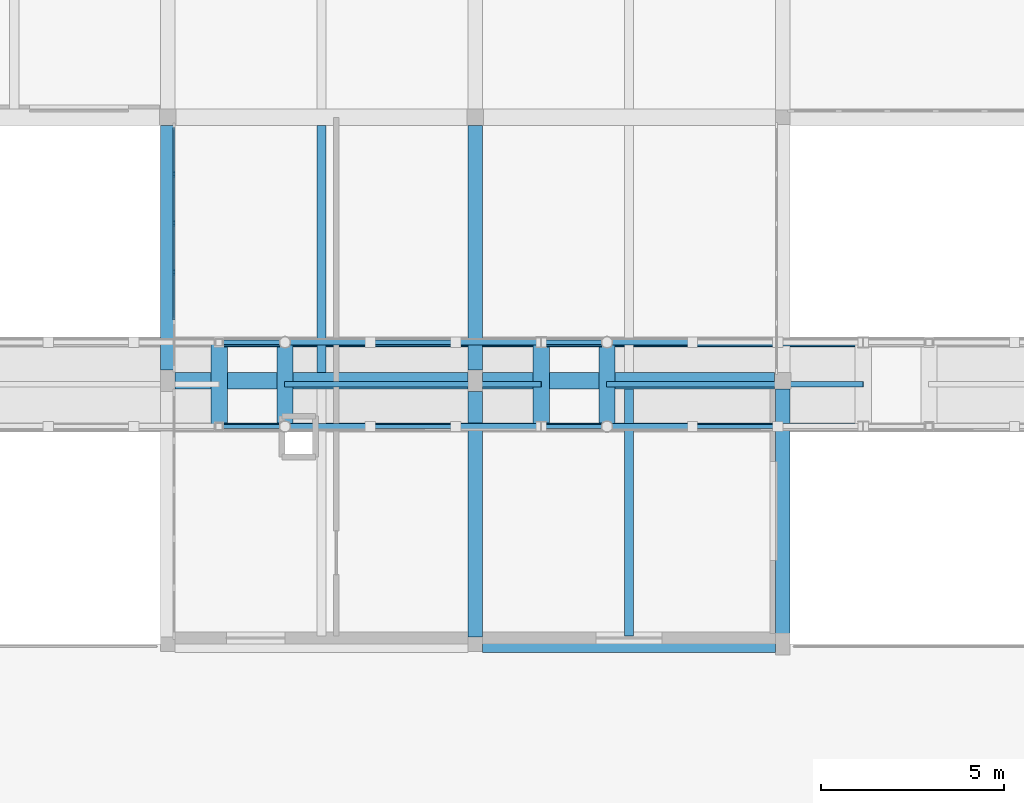
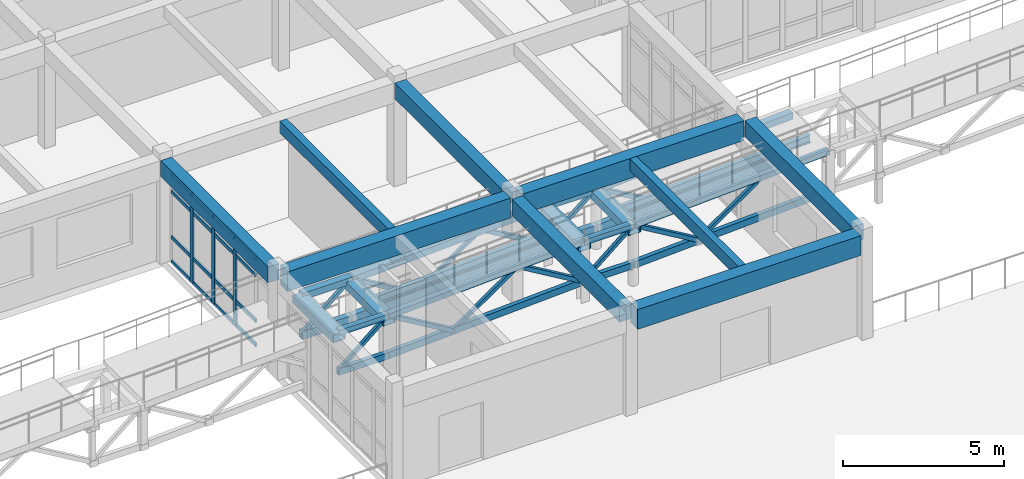
# One storey, part 33 of 90: 48 members, 15 beams, 1 element without a shape of its own.
"""IFC4 building model written with IfcOpenShell, lengths in metres."""

from ifc_helpers import new_model, si_unit, direction, frame, origin, origin_2d, place, context, subcontext, project, spatial, rectangle, hollow_rectangle, i_section, extrude, material, material_profile, profile_set, type_object, element, aggregate, save


model = new_model("IFC4")

# Units and contexts
model_context = context("Model", 3, precision=1e-05, world=origin(), true_north=direction((0.0, 1.0)))
body_context = subcontext(model_context, "Body", "Model", "MODEL_VIEW")
ifc_project = project(units=[si_unit("LENGTHUNIT", "METRE"), si_unit("AREAUNIT", "SQUARE_METRE"), si_unit("VOLUMEUNIT", "CUBIC_METRE"), si_unit("PLANEANGLEUNIT", "RADIAN"), si_unit("MASSUNIT", "GRAM", prefix="KILO")], contexts=[model_context])

# Site, building, storey
site_placement = place(None, origin())
site = spatial("IfcSite", under=ifc_project, at=site_placement, CompositionType="ELEMENT")
building_placement = place(site_placement, origin())
building = spatial("IfcBuilding", under=site, at=building_placement, Name="Malvenik Polytechnic", CompositionType="ELEMENT")
storey_placement = place(building_placement, frame((0.0, 0.0, 9.300048828125)))
storey = spatial("IfcBuildingStorey", under=building, at=storey_placement, Name="L02", CompositionType="ELEMENT", Elevation=9.300048828125)

# Curtain wall, members
ifc_material_1 = material(Name="Anodised aluminium 6060-T6", Category="aluminium")
curtain_wall_type = type_object("IfcCurtainWallType", Name="ARC-CW-CW-06", PredefinedType="NOTDEFINED", material=ifc_material_1)
curtain_wall_placement = place(storey_placement, origin())
curtain_wall = element("IfcCurtainWall", 1, at=curtain_wall_placement, inside=storey, type_object=curtain_wall_type, Name="Unitised Curtain Wall CW-06 L02 #136", PredefinedType="NOTDEFINED")
ifc_material_2 = material(Name="Anodised aluminium", Category="aluminium")
ifc_material_profile_1 = material_profile(ifc_material_2, rectangle(XDim=0.06005859375, YDim=0.179931640625, at=origin_2d()), Name="ALU MULLION 60x180")
ifc_profile_set_1 = profile_set([ifc_material_profile_1], Name="Anodised aluminium")
member_type_1 = type_object("IfcMemberType", Name="ARC-CWM-180", PredefinedType="MULLION", material=ifc_profile_set_1)
member_1_placement = place(storey_placement, frame((75.77001953125, 46.169677734375, 0.0), z_axis=(0.0, 0.0, 1.0), x_axis=(-1.0, 0.0, 0.0)))
member_1 = element("IfcMember", 2, at=member_1_placement, type_object=member_type_1, Name="CW-06 mullion 3", PredefinedType="MULLION", context=body_context, shape_type="SweptSolid", body=[
    extrude(rectangle(XDim=0.06005859375, YDim=0.179931640625, at=origin_2d()), origin(), (0.0, 0.0, 1.0), 3.329833984375),
])
member_2_placement = place(storey_placement, frame((75.77001953125, 47.50537109375, 0.0), z_axis=(0.0, 0.0, 1.0), x_axis=(-1.0, 0.0, 0.0)))
member_2 = element("IfcMember", 3, at=member_2_placement, type_object=member_type_1, Name="CW-06 mullion 4", PredefinedType="MULLION", context=body_context, shape_type="SweptSolid", body=[
    extrude(rectangle(XDim=0.06005859375, YDim=0.179931640625, at=origin_2d()), origin(), (0.0, 0.0, 1.0), 3.329833984375),
])
member_3_placement = place(storey_placement, frame((75.77001953125, 48.84130859375, 0.0), z_axis=(0.0, 0.0, 1.0), x_axis=(-1.0, 0.0, 0.0)))
member_3 = element("IfcMember", 4, at=member_3_placement, type_object=member_type_1, Name="CW-06 mullion 5", PredefinedType="MULLION", context=body_context, shape_type="SweptSolid", body=[
    extrude(rectangle(XDim=0.06005859375, YDim=0.179931640625, at=origin_2d()), origin(), (0.0, 0.0, 1.0), 3.329833984375),
])
ifc_material_profile_2 = material_profile(ifc_material_2, rectangle(XDim=0.06005859375, YDim=0.139892578125, at=origin_2d()), Name="ALU TRANSOM 60x140")
ifc_profile_set_2 = profile_set([ifc_material_profile_2], Name="Anodised aluminium")
member_type_2 = type_object("IfcMemberType", Name="ARC-CWT-140", PredefinedType="USERDEFINED", material=ifc_profile_set_2)
member_4_placement = place(storey_placement, frame((75.77001953125, 44.86376953125, 0.030029296875), z_axis=(0.0, 1.0, 0.0), x_axis=(-1.0, 0.0, 0.0)))
member_4 = element("IfcMember", 5, at=member_4_placement, type_object=member_type_2, Name="CW-06 transom 2.1", ObjectType="TRANSOM", PredefinedType="USERDEFINED", context=body_context, shape_type="SweptSolid", body=[
    extrude(rectangle(XDim=0.06005859375, YDim=0.139892578125, at=origin_2d()), origin(), (0.0, 0.0, 1.0), 1.27587890625),
])
member_5_placement = place(storey_placement, frame((75.77001953125, 44.86376953125, 0.949951171875), z_axis=(0.0, 1.0, 0.0), x_axis=(-1.0, 0.0, 0.0)))
member_5 = element("IfcMember", 6, at=member_5_placement, type_object=member_type_2, Name="CW-06 transom 2.2", ObjectType="TRANSOM", PredefinedType="USERDEFINED", context=body_context, shape_type="SweptSolid", body=[
    extrude(rectangle(XDim=0.06005859375, YDim=0.139892578125, at=origin_2d()), origin(), (0.0, 0.0, 1.0), 1.27587890625),
])
member_6_placement = place(storey_placement, frame((75.77001953125, 44.86376953125, 2.679931640625), z_axis=(0.0, 1.0, 0.0), x_axis=(-1.0, 0.0, 0.0)))
member_6 = element("IfcMember", 7, at=member_6_placement, type_object=member_type_2, Name="CW-06 transom 2.3", ObjectType="TRANSOM", PredefinedType="USERDEFINED", context=body_context, shape_type="SweptSolid", body=[
    extrude(rectangle(XDim=0.06005859375, YDim=0.139892578125, at=origin_2d()), origin(), (0.0, 0.0, 1.0), 1.27587890625),
])
member_7_placement = place(storey_placement, frame((75.77001953125, 44.86376953125, 3.300048828125), z_axis=(0.0, 1.0, 0.0), x_axis=(-1.0, 0.0, 0.0)))
member_7 = element("IfcMember", 8, at=member_7_placement, type_object=member_type_2, Name="CW-06 transom 2.4", ObjectType="TRANSOM", PredefinedType="USERDEFINED", context=body_context, shape_type="SweptSolid", body=[
    extrude(rectangle(XDim=0.06005859375, YDim=0.139892578125, at=origin_2d()), origin(), (0.0, 0.0, 1.0), 1.27587890625),
])
member_8_placement = place(storey_placement, frame((75.77001953125, 46.19970703125, 0.030029296875), z_axis=(0.0, 1.0, 0.0), x_axis=(-1.0, 0.0, 0.0)))
member_8 = element("IfcMember", 9, at=member_8_placement, type_object=member_type_2, Name="CW-06 transom 3.1", ObjectType="TRANSOM", PredefinedType="USERDEFINED", context=body_context, shape_type="SweptSolid", body=[
    extrude(rectangle(XDim=0.06005859375, YDim=0.139892578125, at=origin_2d()), origin(), (0.0, 0.0, 1.0), 1.275634765625),
])
member_9_placement = place(storey_placement, frame((75.77001953125, 46.19970703125, 0.949951171875), z_axis=(0.0, 1.0, 0.0), x_axis=(-1.0, 0.0, 0.0)))
member_9 = element("IfcMember", 10, at=member_9_placement, type_object=member_type_2, Name="CW-06 transom 3.2", ObjectType="TRANSOM", PredefinedType="USERDEFINED", context=body_context, shape_type="SweptSolid", body=[
    extrude(rectangle(XDim=0.06005859375, YDim=0.139892578125, at=origin_2d()), origin(), (0.0, 0.0, 1.0), 1.275634765625),
])
member_10_placement = place(storey_placement, frame((75.77001953125, 46.19970703125, 2.679931640625), z_axis=(0.0, 1.0, 0.0), x_axis=(-1.0, 0.0, 0.0)))
member_10 = element("IfcMember", 11, at=member_10_placement, type_object=member_type_2, Name="CW-06 transom 3.3", ObjectType="TRANSOM", PredefinedType="USERDEFINED", context=body_context, shape_type="SweptSolid", body=[
    extrude(rectangle(XDim=0.06005859375, YDim=0.139892578125, at=origin_2d()), origin(), (0.0, 0.0, 1.0), 1.275634765625),
])
member_11_placement = place(storey_placement, frame((75.77001953125, 46.19970703125, 3.300048828125), z_axis=(0.0, 1.0, 0.0), x_axis=(-1.0, 0.0, 0.0)))
member_11 = element("IfcMember", 12, at=member_11_placement, type_object=member_type_2, Name="CW-06 transom 3.4", ObjectType="TRANSOM", PredefinedType="USERDEFINED", context=body_context, shape_type="SweptSolid", body=[
    extrude(rectangle(XDim=0.06005859375, YDim=0.139892578125, at=origin_2d()), origin(), (0.0, 0.0, 1.0), 1.275634765625),
])
member_12_placement = place(storey_placement, frame((75.77001953125, 47.535400390625, 0.030029296875), z_axis=(0.0, 1.0, 0.0), x_axis=(-1.0, 0.0, 0.0)))
member_12 = element("IfcMember", 13, at=member_12_placement, type_object=member_type_2, Name="CW-06 transom 4.1", ObjectType="TRANSOM", PredefinedType="USERDEFINED", context=body_context, shape_type="SweptSolid", body=[
    extrude(rectangle(XDim=0.06005859375, YDim=0.139892578125, at=origin_2d()), origin(), (0.0, 0.0, 1.0), 1.27587890625),
])
member_13_placement = place(storey_placement, frame((75.77001953125, 47.535400390625, 0.949951171875), z_axis=(0.0, 1.0, 0.0), x_axis=(-1.0, 0.0, 0.0)))
member_13 = element("IfcMember", 14, at=member_13_placement, type_object=member_type_2, Name="CW-06 transom 4.2", ObjectType="TRANSOM", PredefinedType="USERDEFINED", context=body_context, shape_type="SweptSolid", body=[
    extrude(rectangle(XDim=0.06005859375, YDim=0.139892578125, at=origin_2d()), origin(), (0.0, 0.0, 1.0), 1.27587890625),
])
member_14_placement = place(storey_placement, frame((75.77001953125, 47.535400390625, 2.679931640625), z_axis=(0.0, 1.0, 0.0), x_axis=(-1.0, 0.0, 0.0)))
member_14 = element("IfcMember", 15, at=member_14_placement, type_object=member_type_2, Name="CW-06 transom 4.3", ObjectType="TRANSOM", PredefinedType="USERDEFINED", context=body_context, shape_type="SweptSolid", body=[
    extrude(rectangle(XDim=0.06005859375, YDim=0.139892578125, at=origin_2d()), origin(), (0.0, 0.0, 1.0), 1.27587890625),
])
member_15_placement = place(storey_placement, frame((75.77001953125, 47.535400390625, 3.300048828125), z_axis=(0.0, 1.0, 0.0), x_axis=(-1.0, 0.0, 0.0)))
member_15 = element("IfcMember", 16, at=member_15_placement, type_object=member_type_2, Name="CW-06 transom 4.4", ObjectType="TRANSOM", PredefinedType="USERDEFINED", context=body_context, shape_type="SweptSolid", body=[
    extrude(rectangle(XDim=0.06005859375, YDim=0.139892578125, at=origin_2d()), origin(), (0.0, 0.0, 1.0), 1.27587890625),
])
member_16_placement = place(storey_placement, frame((75.77001953125, 48.87109375, 0.030029296875), z_axis=(0.0, 1.0, 0.0), x_axis=(-1.0, 0.0, 0.0)))
member_16 = element("IfcMember", 17, at=member_16_placement, type_object=member_type_2, Name="CW-06 transom 5.1", ObjectType="TRANSOM", PredefinedType="USERDEFINED", context=body_context, shape_type="SweptSolid", body=[
    extrude(rectangle(XDim=0.06005859375, YDim=0.139892578125, at=origin_2d()), origin(), (0.0, 0.0, 1.0), 1.245849609375),
])
member_17_placement = place(storey_placement, frame((75.77001953125, 48.87109375, 0.949951171875), z_axis=(0.0, 1.0, 0.0), x_axis=(-1.0, 0.0, 0.0)))
member_17 = element("IfcMember", 18, at=member_17_placement, type_object=member_type_2, Name="CW-06 transom 5.2", ObjectType="TRANSOM", PredefinedType="USERDEFINED", context=body_context, shape_type="SweptSolid", body=[
    extrude(rectangle(XDim=0.06005859375, YDim=0.139892578125, at=origin_2d()), origin(), (0.0, 0.0, 1.0), 1.245849609375),
])
member_18_placement = place(storey_placement, frame((75.77001953125, 48.87109375, 2.679931640625), z_axis=(0.0, 1.0, 0.0), x_axis=(-1.0, 0.0, 0.0)))
member_18 = element("IfcMember", 19, at=member_18_placement, type_object=member_type_2, Name="CW-06 transom 5.3", ObjectType="TRANSOM", PredefinedType="USERDEFINED", context=body_context, shape_type="SweptSolid", body=[
    extrude(rectangle(XDim=0.06005859375, YDim=0.139892578125, at=origin_2d()), origin(), (0.0, 0.0, 1.0), 1.245849609375),
])
member_19_placement = place(storey_placement, frame((75.77001953125, 48.87109375, 3.300048828125), z_axis=(0.0, 1.0, 0.0), x_axis=(-1.0, 0.0, 0.0)))
member_19 = element("IfcMember", 20, at=member_19_placement, type_object=member_type_2, Name="CW-06 transom 5.4", ObjectType="TRANSOM", PredefinedType="USERDEFINED", context=body_context, shape_type="SweptSolid", body=[
    extrude(rectangle(XDim=0.06005859375, YDim=0.139892578125, at=origin_2d()), origin(), (0.0, 0.0, 1.0), 1.245849609375),
])
aggregate(curtain_wall, [member_1, member_2, member_3, member_4, member_5, member_6, member_7, member_8, member_9, member_10, member_11, member_12, member_13, member_14, member_15, member_16, member_17, member_18, member_19])

# Beams
ifc_material_3 = material(Name="Concrete C35/45", Category="concrete")
ifc_material_profile_3 = material_profile(ifc_material_3, rectangle(XDim=0.449951171875, YDim=0.75, at=origin_2d()), Name="RC BM 450x750")
ifc_profile_set_3 = profile_set([ifc_material_profile_3], Name="Concrete C35/45")
beam_type_1 = type_object("IfcBeamType", Name="STR-BM-B-03", PredefinedType="BEAM", material=ifc_profile_set_3)
beam_1_placement = place(storey_placement, frame((75.798095703125, 43.199951171875, 3.56494140625), z_axis=(1.0, 0.0, 0.0), x_axis=(0.0, 1.0, 0.0)))
element("IfcBeam", 21, at=beam_1_placement, inside=storey, type_object=beam_type_1, Name="Primary Beam B-03 L02 #1333", PredefinedType="BEAM", context=body_context, shape_type="SweptSolid", body=[
    extrude(rectangle(XDim=0.449951171875, YDim=0.75, at=origin_2d()), origin(), (0.0, 0.0, 1.0), 8.00390625),
])
beam_2_placement = place(storey_placement, frame((84.197998046875, 43.199951171875, 3.56494140625), z_axis=(1.0, 0.0, 0.0), x_axis=(0.0, 1.0, 0.0)))
element("IfcBeam", 22, at=beam_2_placement, inside=storey, type_object=beam_type_1, Name="Primary Beam B-03 L02 #1334", PredefinedType="BEAM", context=body_context, shape_type="SweptSolid", body=[
    extrude(rectangle(XDim=0.449951171875, YDim=0.75, at=origin_2d()), origin(), (0.0, 0.0, 1.0), 7.97900390625),
])
ifc_material_profile_4 = material_profile(ifc_material_3, rectangle(XDim=0.39990234375, YDim=0.60009765625, at=origin_2d()), Name="RC BM 400x600")
ifc_profile_set_4 = profile_set([ifc_material_profile_4], Name="Concrete C35/45")
beam_type_2 = type_object("IfcBeamType", Name="STR-BM-B-06", PredefinedType="BEAM", material=ifc_profile_set_4)
beam_3_placement = place(storey_placement, frame((75.60009765625, 43.498046875, 3.639892578125), z_axis=(0.0, 1.0, 0.0), x_axis=(-1.0, 0.0, 0.0)))
element("IfcBeam", 23, at=beam_3_placement, inside=storey, type_object=beam_type_2, Name="Transverse Beam B-06 L02 #1508", PredefinedType="BEAM", context=body_context, shape_type="SweptSolid", body=[
    extrude(rectangle(XDim=0.39990234375, YDim=0.60009765625, at=origin_2d()), origin(), (0.0, 0.0, 1.0), 6.678955078125),
])
beam_4_placement = place(storey_placement, frame((84.0, 36.197998046875, 3.639892578125), z_axis=(0.0, 1.0, 0.0), x_axis=(-1.0, 0.0, 0.0)))
element("IfcBeam", 24, at=beam_4_placement, inside=storey, type_object=beam_type_2, Name="Transverse Beam B-06 L02 #1516", PredefinedType="BEAM", context=body_context, shape_type="SweptSolid", body=[
    extrude(rectangle(XDim=0.39990234375, YDim=0.60009765625, at=origin_2d()), origin(), (0.0, 0.0, 1.0), 6.7041015625),
])
for number, where, z_axis, x_axis, name in (
    (25, (84.0, 43.498046875, 3.639892578125), (0.0, 1.0, 0.0), (-1.0, 0.0, 0.0), "Transverse Beam B-06 L02 #1517"),
    (26, (92.39990234375, 36.298095703125, 3.639892578125), (0.0, 1.0, 0.0), (-1.0, 0.0, 0.0), "Transverse Beam B-06 L02 #1527"),
):
    element("IfcBeam", number, at=place(storey_placement, frame(where, z_axis=z_axis, x_axis=x_axis)), inside=storey, type_object=beam_type_2, Name=name, PredefinedType="BEAM", context=body_context, shape_type="SweptSolid", body=[
        extrude(rectangle(XDim=0.39990234375, YDim=0.60009765625, at=origin_2d()), origin(), (0.0, 0.0, 1.0), 6.678955078125),
    ])
ifc_material_4 = material(Name="Concrete C30/37", Category="concrete")
ifc_material_profile_5 = material_profile(ifc_material_4, rectangle(XDim=0.25, YDim=0.449951171875, at=origin_2d()), Name="RC JST 250x450")
ifc_profile_set_5 = profile_set([ifc_material_profile_5], Name="Concrete C30/37")
beam_type_3 = type_object("IfcBeamType", Name="STR-BM-J-02", PredefinedType="JOIST", material=ifc_profile_set_5)
beam_5_placement = place(storey_placement, frame((79.800048828125, 43.423095703125, 3.71484375), z_axis=(0.0, 1.0, 0.0), x_axis=(-1.0, 0.0, 0.0)))
element("IfcBeam", 27, at=beam_5_placement, inside=storey, type_object=beam_type_3, Name="Secondary Rib Joist J-02 L02 #1591", PredefinedType="JOIST", context=body_context, shape_type="SweptSolid", body=[
    extrude(rectangle(XDim=0.25, YDim=0.449951171875, at=origin_2d()), origin(), (0.0, 0.0, 1.0), 6.75390625),
])
beam_6_placement = place(storey_placement, frame((88.199951171875, 36.22802734375, 3.71484375), z_axis=(0.0, 1.0, 0.0), x_axis=(-1.0, 0.0, 0.0)))
element("IfcBeam", 28, at=beam_6_placement, inside=storey, type_object=beam_type_3, Name="Secondary Rib Joist J-02 L02 #1597", PredefinedType="JOIST", context=body_context, shape_type="SweptSolid", body=[
    extrude(rectangle(XDim=0.25, YDim=0.449951171875, at=origin_2d()), origin(), (0.0, 0.0, 1.0), 6.7490234375),
])
ifc_material_5 = material(Name="Steel S355J2H", Category="steel")
ifc_material_profile_6 = material_profile(ifc_material_5, hollow_rectangle(XDim=0.449951171875, YDim=0.300048828125, WallThickness=0.012451171875, at=origin_2d()), Name="RHS 450x300x12.5")
ifc_profile_set_6 = profile_set([ifc_material_profile_6], Name="Steel S355J2H")
beam_type_4 = type_object("IfcBeamType", Name="STR-BM-SB-07", PredefinedType="BEAM", material=ifc_profile_set_6)
for number, where, z_axis, x_axis, name in (
    (29, (77.0, 41.85009765625, 1.73193359375), (0.0, 1.0, 0.0), (-1.0, 0.0, 0.0), "Ramp Joint Transom RB-01 #11"),
    (30, (78.800048828125, 41.85009765625, 1.73193359375), (0.0, 1.0, 0.0), (-1.0, 0.0, 0.0), "Ramp Joint Transom RB-01 #12"),
    (31, (85.800048828125, 41.85009765625, 2.08203125), (0.0, 1.0, 0.0), (-1.0, 0.0, 0.0), "Ramp Joint Transom RB-01 #13"),
    (32, (87.60009765625, 41.85009765625, 2.08203125), (0.0, 1.0, 0.0), (-1.0, 0.0, 0.0), "Ramp Joint Transom RB-01 #14"),
):
    element("IfcBeam", number, at=place(storey_placement, frame(where, z_axis=z_axis, x_axis=x_axis)), inside=storey, type_object=beam_type_4, Name=name, PredefinedType="BEAM", context=body_context, shape_type="SweptSolid", body=[
        extrude(hollow_rectangle(XDim=0.449951171875, YDim=0.300048828125, WallThickness=0.012451171875, at=origin_2d()), origin(), (0.0, 0.0, 1.0), 2.5),
    ])
ifc_material_6 = material(Name="Steel S355", Category="steel")
ifc_material_profile_7 = material_profile(ifc_material_6, i_section(OverallWidth=0.14990234375, OverallDepth=0.300048828125, WebThickness=0.007080078125, FlangeThickness=0.0107421875, FilletRadius=0.014892578125, at=origin_2d()), Name="IPE 300")
ifc_profile_set_7 = profile_set([ifc_material_profile_7], Name="Steel S355")
beam_type_5 = type_object("IfcBeamType", Name="STR-BM-SB-09", PredefinedType="JOIST", material=ifc_profile_set_7)
for number, where, z_axis, x_axis, name in (
    (33, (78.800048828125, 43.10009765625, 1.675048828125), (0.998753381067, 0.0, 0.049916768801), (0.0, 1.0, 0.0), "Ramp Centreline Stringer RB-01 #12"),
    (34, (87.60009765625, 43.10009765625, 2.02490234375), (0.998751643845, 0.0, 0.049951515669), (0.0, 1.0, 0.0), "Ramp Centreline Stringer RB-01 #14"),
):
    element("IfcBeam", number, at=place(storey_placement, frame(where, z_axis=z_axis, x_axis=x_axis)), inside=storey, type_object=beam_type_5, Name=name, PredefinedType="JOIST", context=body_context, shape_type="SweptSolid", body=[
        extrude(i_section(OverallWidth=0.14990234375, OverallDepth=0.300048828125, WebThickness=0.007080078125, FlangeThickness=0.0107421875, FilletRadius=0.014892578125, at=origin_2d()), origin(), (0.0, 0.0, 1.0), 7.0087890625),
    ])
ifc_material_7 = material(Name="Precast concrete C40/50", Category="concrete")
ifc_material_profile_8 = material_profile(ifc_material_7, rectangle(XDim=0.4599609375, YDim=0.75, at=origin_2d()), Name="PC SPN 460x750")
ifc_profile_set_8 = profile_set([ifc_material_profile_8], Name="Precast concrete C40/50")
beam_type_6 = type_object("IfcBeamType", Name="STR-BM-SP-02", PredefinedType="SPANDREL", material=ifc_profile_set_8)
beam_7_placement = place(storey_placement, frame((84.197998046875, 36.0, 3.56494140625), z_axis=(1.0, 0.0, 0.0), x_axis=(0.0, 1.0, 0.0)))
element("IfcBeam", 35, at=beam_7_placement, inside=storey, type_object=beam_type_6, Name="Primary Beam SP-02 L02 #1332", PredefinedType="SPANDREL", context=body_context, shape_type="SweptSolid", body=[
    extrude(rectangle(XDim=0.4599609375, YDim=0.75, at=origin_2d()), origin(), (0.0, 0.0, 1.0), 8.00390625),
])

# Members
ifc_material_profile_9 = material_profile(ifc_material_5, hollow_rectangle(XDim=0.14990234375, YDim=0.25, WallThickness=0.010009765625, at=origin_2d()), Name="RHS 250x150x10.0")
ifc_profile_set_9 = profile_set([ifc_material_profile_9], Name="Steel S355J2H")
member_type_3 = type_object("IfcMemberType", Name="STR-MEM-TRB-01", PredefinedType="CHORD", material=ifc_profile_set_9)
member_20_placement = place(storey_placement, frame((77.00390625, 41.949951171875, 0.3798828125), z_axis=(1.0, 0.0, 0.0), x_axis=(0.0, 1.0, 0.0)))
element("IfcMember", 36, at=member_20_placement, inside=storey, type_object=member_type_3, Name="Space-Frame Tube TRB-01 STR-TR-BC-RB-01-1-11", PredefinedType="CHORD", context=body_context, shape_type="SweptSolid", body=[
    extrude(hollow_rectangle(XDim=0.14990234375, YDim=0.25, WallThickness=0.010009765625, at=origin_2d()), origin(), (0.0, 0.0, 1.0), 1.7919921875),
])
member_21_placement = place(storey_placement, frame((78.803955078125, 41.949951171875, 0.380126953125), z_axis=(0.998752251909, 0.0, 0.049939356288), x_axis=(0.0, 1.0, 0.0)))
element("IfcMember", 37, at=member_21_placement, inside=storey, type_object=member_type_3, Name="Space-Frame Tube TRB-01 STR-TR-BC-RB-01-1-12", PredefinedType="CHORD", context=body_context, shape_type="SweptSolid", body=[
    extrude(hollow_rectangle(XDim=0.14990234375, YDim=0.25, WallThickness=0.010009765625, at=origin_2d()), origin(), (0.0, 0.0, 1.0), 7.000732421875),
])
member_22_placement = place(storey_placement, frame((85.803955078125, 41.949951171875, 0.72998046875), z_axis=(1.0, 0.0, 0.0), x_axis=(0.0, 1.0, 0.0)))
element("IfcMember", 38, at=member_22_placement, inside=storey, type_object=member_type_3, Name="Space-Frame Tube TRB-01 STR-TR-BC-RB-01-1-13", PredefinedType="CHORD", context=body_context, shape_type="SweptSolid", body=[
    extrude(hollow_rectangle(XDim=0.14990234375, YDim=0.25, WallThickness=0.010009765625, at=origin_2d()), origin(), (0.0, 0.0, 1.0), 1.7919921875),
])
member_23_placement = place(storey_placement, frame((87.60400390625, 41.949951171875, 0.730224609375), z_axis=(0.998752251909, 0.0, 0.049939356288), x_axis=(0.0, 1.0, 0.0)))
element("IfcMember", 39, at=member_23_placement, inside=storey, type_object=member_type_3, Name="Space-Frame Tube TRB-01 STR-TR-BC-RB-01-1-14", PredefinedType="CHORD", context=body_context, shape_type="SweptSolid", body=[
    extrude(hollow_rectangle(XDim=0.14990234375, YDim=0.25, WallThickness=0.010009765625, at=origin_2d()), origin(), (0.0, 0.0, 1.0), 7.000732421875),
])
ifc_material_profile_10 = material_profile(ifc_material_5, hollow_rectangle(XDim=0.199951171875, YDim=0.300048828125, WallThickness=0.010009765625, at=origin_2d()), Name="RHS 300x200x10.0")
ifc_profile_set_10 = profile_set([ifc_material_profile_10], Name="Steel S355J2H")
member_type_4 = type_object("IfcMemberType", Name="STR-MEM-TRB-02", PredefinedType="CHORD", material=ifc_profile_set_10)
member_24_placement = place(storey_placement, frame((77.00390625, 44.25, 0.3798828125), z_axis=(1.0, 0.0, 0.0), x_axis=(0.0, 1.0, 0.0)))
element("IfcMember", 40, at=member_24_placement, inside=storey, type_object=member_type_4, Name="Space-Frame Tube TRB-02 STR-TR-BC-RB-01-2-11", PredefinedType="CHORD", context=body_context, shape_type="SweptSolid", body=[
    extrude(hollow_rectangle(XDim=0.199951171875, YDim=0.300048828125, WallThickness=0.010009765625, at=origin_2d()), origin(), (0.0, 0.0, 1.0), 1.7919921875),
])
member_25_placement = place(storey_placement, frame((78.803955078125, 44.25, 0.380126953125), z_axis=(0.998752251909, 0.0, 0.049939356288), x_axis=(0.0, 1.0, 0.0)))
element("IfcMember", 41, at=member_25_placement, inside=storey, type_object=member_type_4, Name="Space-Frame Tube TRB-02 STR-TR-BC-RB-01-2-12", PredefinedType="CHORD", context=body_context, shape_type="SweptSolid", body=[
    extrude(hollow_rectangle(XDim=0.199951171875, YDim=0.300048828125, WallThickness=0.010009765625, at=origin_2d()), origin(), (0.0, 0.0, 1.0), 7.000732421875),
])
member_26_placement = place(storey_placement, frame((85.803955078125, 44.25, 0.72998046875), z_axis=(1.0, 0.0, 0.0), x_axis=(0.0, 1.0, 0.0)))
element("IfcMember", 42, at=member_26_placement, inside=storey, type_object=member_type_4, Name="Space-Frame Tube TRB-02 STR-TR-BC-RB-01-2-13", PredefinedType="CHORD", context=body_context, shape_type="SweptSolid", body=[
    extrude(hollow_rectangle(XDim=0.199951171875, YDim=0.300048828125, WallThickness=0.010009765625, at=origin_2d()), origin(), (0.0, 0.0, 1.0), 1.7919921875),
])
member_27_placement = place(storey_placement, frame((87.60400390625, 44.25, 0.730224609375), z_axis=(0.998752251909, 0.0, 0.049939356288), x_axis=(0.0, 1.0, 0.0)))
element("IfcMember", 43, at=member_27_placement, inside=storey, type_object=member_type_4, Name="Space-Frame Tube TRB-02 STR-TR-BC-RB-01-2-14", PredefinedType="CHORD", context=body_context, shape_type="SweptSolid", body=[
    extrude(hollow_rectangle(XDim=0.199951171875, YDim=0.300048828125, WallThickness=0.010009765625, at=origin_2d()), origin(), (0.0, 0.0, 1.0), 7.000732421875),
])
ifc_material_profile_11 = material_profile(ifc_material_5, hollow_rectangle(XDim=0.14990234375, YDim=0.14990234375, WallThickness=0.008056640625, at=origin_2d()), Name="SHS 150x150x8.0")
ifc_profile_set_11 = profile_set([ifc_material_profile_11], Name="Steel S355J2H")
member_type_5 = type_object("IfcMemberType", Name="STR-MEM-TRD-01", PredefinedType="BRACE", material=ifc_profile_set_11)
for number, where, z_axis, x_axis, name in (
    (44, (78.803466796875, 41.949951171875, 1.8779296875), (0.860165406805, 0.0, -0.51001516932), (0.0, 1.0, 0.0), "Space-Frame Tube TRD-01 STR-TRD-01-RB-01-1-12"),
    (45, (83.47021484375, 41.949951171875, 2.111328125), (0.860165406805, 0.0, -0.51001516932), (0.0, 1.0, 0.0), "Space-Frame Tube TRD-01 STR-TRD-03-RB-01-1-12"),
    (46, (87.603515625, 41.949951171875, 2.22802734375), (0.860165406805, 0.0, -0.51001516932), (0.0, 1.0, 0.0), "Space-Frame Tube TRD-01 STR-TRD-01-RB-01-1-14"),
    (47, (78.803466796875, 44.25, 1.8779296875), (0.860165406805, 0.0, -0.51001516932), (0.0, 1.0, 0.0), "Space-Frame Tube TRD-01 STR-TRD-01-RB-01-2-12"),
    (48, (83.47021484375, 44.25, 2.111328125), (0.860165406805, 0.0, -0.51001516932), (0.0, 1.0, 0.0), "Space-Frame Tube TRD-01 STR-TRD-03-RB-01-2-12"),
    (49, (87.603515625, 44.25, 2.22802734375), (0.860165406805, 0.0, -0.51001516932), (0.0, 1.0, 0.0), "Space-Frame Tube TRD-01 STR-TRD-01-RB-01-2-14"),
):
    element("IfcMember", number, at=place(storey_placement, frame(where, z_axis=z_axis, x_axis=x_axis)), inside=storey, type_object=member_type_5, Name=name, PredefinedType="BRACE", context=body_context, shape_type="SweptSolid", body=[
        extrude(hollow_rectangle(XDim=0.14990234375, YDim=0.14990234375, WallThickness=0.008056640625, at=origin_2d()), origin(), (0.0, 0.0, 1.0), 2.70458984375),
    ])
ifc_material_profile_12 = material_profile(ifc_material_5, hollow_rectangle(XDim=0.1201171875, YDim=0.1201171875, WallThickness=0.00634765625, at=origin_2d()), Name="SHS 120x120x6.3")
ifc_profile_set_12 = profile_set([ifc_material_profile_12], Name="Steel S355J2H")
member_type_6 = type_object("IfcMemberType", Name="STR-MEM-TRD-02", PredefinedType="BRACE", material=ifc_profile_set_12)
member_28_placement = place(storey_placement, frame((77.003173828125, 41.949951171875, 0.382568359375), z_axis=(0.768195567728, 0.0, 0.640215252647), x_axis=(0.0, 1.0, 0.0)))
element("IfcMember", 50, at=member_28_placement, inside=storey, type_object=member_type_6, Name="Space-Frame Tube TRD-02 STR-TR-DGL-RB-01-1-11", PredefinedType="BRACE", context=body_context, shape_type="SweptSolid", body=[
    extrude(hollow_rectangle(XDim=0.1201171875, YDim=0.1201171875, WallThickness=0.00634765625, at=origin_2d()), origin(), (0.0, 0.0, 1.0), 2.3349609375),
])
member_29_placement = place(storey_placement, frame((81.13671875, 41.949951171875, 0.4990234375), z_axis=(0.822018261481, 0.0, 0.569461129307), x_axis=(0.0, 1.0, 0.0)))
element("IfcMember", 51, at=member_29_placement, inside=storey, type_object=member_type_6, Name="Space-Frame Tube TRD-02 STR-TRD-02-RB-01-1-12", PredefinedType="BRACE", context=body_context, shape_type="SweptSolid", body=[
    extrude(hollow_rectangle(XDim=0.1201171875, YDim=0.1201171875, WallThickness=0.00634765625, at=origin_2d()), origin(), (0.0, 0.0, 1.0), 2.830322265625),
])
member_30_placement = place(storey_placement, frame((85.802978515625, 41.949951171875, 0.732666015625), z_axis=(0.768289837605, 0.0, 0.640102121097), x_axis=(0.0, 1.0, 0.0)))
element("IfcMember", 52, at=member_30_placement, inside=storey, type_object=member_type_6, Name="Space-Frame Tube TRD-02 STR-TR-DGL-RB-01-1-13", PredefinedType="BRACE", context=body_context, shape_type="SweptSolid", body=[
    extrude(hollow_rectangle(XDim=0.1201171875, YDim=0.1201171875, WallThickness=0.00634765625, at=origin_2d()), origin(), (0.0, 0.0, 1.0), 2.3349609375),
])
member_31_placement = place(storey_placement, frame((89.9365234375, 41.949951171875, 0.848876953125), z_axis=(0.822005857331, 0.0, 0.569479034305), x_axis=(0.0, 1.0, 0.0)))
element("IfcMember", 53, at=member_31_placement, inside=storey, type_object=member_type_6, Name="Space-Frame Tube TRD-02 STR-TRD-02-RB-01-1-14", PredefinedType="BRACE", context=body_context, shape_type="SweptSolid", body=[
    extrude(hollow_rectangle(XDim=0.1201171875, YDim=0.1201171875, WallThickness=0.00634765625, at=origin_2d()), origin(), (0.0, 0.0, 1.0), 2.830810546875),
])
member_32_placement = place(storey_placement, frame((77.003173828125, 44.25, 0.382568359375), z_axis=(0.768195567728, 0.0, 0.640215252647), x_axis=(0.0, 1.0, 0.0)))
element("IfcMember", 54, at=member_32_placement, inside=storey, type_object=member_type_6, Name="Space-Frame Tube TRD-02 STR-TR-DGL-RB-01-2-11", PredefinedType="BRACE", context=body_context, shape_type="SweptSolid", body=[
    extrude(hollow_rectangle(XDim=0.1201171875, YDim=0.1201171875, WallThickness=0.00634765625, at=origin_2d()), origin(), (0.0, 0.0, 1.0), 2.3349609375),
])
member_33_placement = place(storey_placement, frame((81.13671875, 44.25, 0.4990234375), z_axis=(0.822018261481, 0.0, 0.569461129307), x_axis=(0.0, 1.0, 0.0)))
element("IfcMember", 55, at=member_33_placement, inside=storey, type_object=member_type_6, Name="Space-Frame Tube TRD-02 STR-TRD-02-RB-01-2-12", PredefinedType="BRACE", context=body_context, shape_type="SweptSolid", body=[
    extrude(hollow_rectangle(XDim=0.1201171875, YDim=0.1201171875, WallThickness=0.00634765625, at=origin_2d()), origin(), (0.0, 0.0, 1.0), 2.830322265625),
])
member_34_placement = place(storey_placement, frame((85.802978515625, 44.25, 0.732666015625), z_axis=(0.768289837605, 0.0, 0.640102121097), x_axis=(0.0, 1.0, 0.0)))
element("IfcMember", 56, at=member_34_placement, inside=storey, type_object=member_type_6, Name="Space-Frame Tube TRD-02 STR-TR-DGL-RB-01-2-13", PredefinedType="BRACE", context=body_context, shape_type="SweptSolid", body=[
    extrude(hollow_rectangle(XDim=0.1201171875, YDim=0.1201171875, WallThickness=0.00634765625, at=origin_2d()), origin(), (0.0, 0.0, 1.0), 2.3349609375),
])
ifc_material_profile_13 = material_profile(ifc_material_5, hollow_rectangle(XDim=0.199951171875, YDim=0.199951171875, WallThickness=0.010009765625, at=origin_2d()), Name="SHS 200x200x10.0")
ifc_profile_set_13 = profile_set([ifc_material_profile_13], Name="Steel S355J2H")
member_type_7 = type_object("IfcMemberType", Name="STR-MEM-TRT-01", PredefinedType="CHORD", material=ifc_profile_set_13)
member_35_placement = place(storey_placement, frame((77.00390625, 41.949951171875, 1.8798828125), z_axis=(1.0, 0.0, 0.0), x_axis=(0.0, 1.0, 0.0)))
element("IfcMember", 57, at=member_35_placement, inside=storey, type_object=member_type_7, Name="Space-Frame Tube TRT-01 STR-TR-TC-RB-01-1-11", PredefinedType="CHORD", context=body_context, shape_type="SweptSolid", body=[
    extrude(hollow_rectangle(XDim=0.199951171875, YDim=0.199951171875, WallThickness=0.010009765625, at=origin_2d()), origin(), (0.0, 0.0, 1.0), 1.7919921875),
])
member_36_placement = place(storey_placement, frame((78.803955078125, 41.949951171875, 1.880126953125), z_axis=(0.998752251909, 0.0, 0.049939356288), x_axis=(0.0, 1.0, 0.0)))
element("IfcMember", 58, at=member_36_placement, inside=storey, type_object=member_type_7, Name="Space-Frame Tube TRT-01 STR-TR-TC-RB-01-1-12", PredefinedType="CHORD", context=body_context, shape_type="SweptSolid", body=[
    extrude(hollow_rectangle(XDim=0.199951171875, YDim=0.199951171875, WallThickness=0.010009765625, at=origin_2d()), origin(), (0.0, 0.0, 1.0), 7.000732421875),
])
member_37_placement = place(storey_placement, frame((85.803955078125, 41.949951171875, 2.22998046875), z_axis=(1.0, 0.0, 0.0), x_axis=(0.0, 1.0, 0.0)))
element("IfcMember", 59, at=member_37_placement, inside=storey, type_object=member_type_7, Name="Space-Frame Tube TRT-01 STR-TR-TC-RB-01-1-13", PredefinedType="CHORD", context=body_context, shape_type="SweptSolid", body=[
    extrude(hollow_rectangle(XDim=0.199951171875, YDim=0.199951171875, WallThickness=0.010009765625, at=origin_2d()), origin(), (0.0, 0.0, 1.0), 1.7919921875),
])
member_38_placement = place(storey_placement, frame((87.60400390625, 41.949951171875, 2.230224609375), z_axis=(0.998752251909, 0.0, 0.049939356288), x_axis=(0.0, 1.0, 0.0)))
element("IfcMember", 60, at=member_38_placement, inside=storey, type_object=member_type_7, Name="Space-Frame Tube TRT-01 STR-TR-TC-RB-01-1-14", PredefinedType="CHORD", context=body_context, shape_type="SweptSolid", body=[
    extrude(hollow_rectangle(XDim=0.199951171875, YDim=0.199951171875, WallThickness=0.010009765625, at=origin_2d()), origin(), (0.0, 0.0, 1.0), 7.000732421875),
])
ifc_material_profile_14 = material_profile(ifc_material_5, hollow_rectangle(XDim=0.25, YDim=0.25, WallThickness=0.010009765625, at=origin_2d()), Name="SHS 250x250x10.0")
ifc_profile_set_14 = profile_set([ifc_material_profile_14], Name="Steel S355J2H")
member_type_8 = type_object("IfcMemberType", Name="STR-MEM-TRT-02", PredefinedType="CHORD", material=ifc_profile_set_14)
member_39_placement = place(storey_placement, frame((77.00390625, 44.25, 1.8798828125), z_axis=(1.0, 0.0, 0.0), x_axis=(0.0, 1.0, 0.0)))
element("IfcMember", 61, at=member_39_placement, inside=storey, type_object=member_type_8, Name="Space-Frame Tube TRT-02 STR-TR-TC-RB-01-2-11", PredefinedType="CHORD", context=body_context, shape_type="SweptSolid", body=[
    extrude(hollow_rectangle(XDim=0.25, YDim=0.25, WallThickness=0.010009765625, at=origin_2d()), origin(), (0.0, 0.0, 1.0), 1.7919921875),
])
member_40_placement = place(storey_placement, frame((78.803955078125, 44.25, 1.880126953125), z_axis=(0.998752251909, 0.0, 0.049939356288), x_axis=(0.0, 1.0, 0.0)))
element("IfcMember", 62, at=member_40_placement, inside=storey, type_object=member_type_8, Name="Space-Frame Tube TRT-02 STR-TR-TC-RB-01-2-12", PredefinedType="CHORD", context=body_context, shape_type="SweptSolid", body=[
    extrude(hollow_rectangle(XDim=0.25, YDim=0.25, WallThickness=0.010009765625, at=origin_2d()), origin(), (0.0, 0.0, 1.0), 7.000732421875),
])
member_41_placement = place(storey_placement, frame((85.803955078125, 44.25, 2.22998046875), z_axis=(1.0, 0.0, 0.0), x_axis=(0.0, 1.0, 0.0)))
element("IfcMember", 63, at=member_41_placement, inside=storey, type_object=member_type_8, Name="Space-Frame Tube TRT-02 STR-TR-TC-RB-01-2-13", PredefinedType="CHORD", context=body_context, shape_type="SweptSolid", body=[
    extrude(hollow_rectangle(XDim=0.25, YDim=0.25, WallThickness=0.010009765625, at=origin_2d()), origin(), (0.0, 0.0, 1.0), 1.7919921875),
])
member_42_placement = place(storey_placement, frame((87.60400390625, 44.25, 2.230224609375), z_axis=(0.998752251909, 0.0, 0.049939356288), x_axis=(0.0, 1.0, 0.0)))
element("IfcMember", 64, at=member_42_placement, inside=storey, type_object=member_type_8, Name="Space-Frame Tube TRT-02 STR-TR-TC-RB-01-2-14", PredefinedType="CHORD", context=body_context, shape_type="SweptSolid", body=[
    extrude(hollow_rectangle(XDim=0.25, YDim=0.25, WallThickness=0.010009765625, at=origin_2d()), origin(), (0.0, 0.0, 1.0), 7.000732421875),
])

save(model, "model.ifc")
